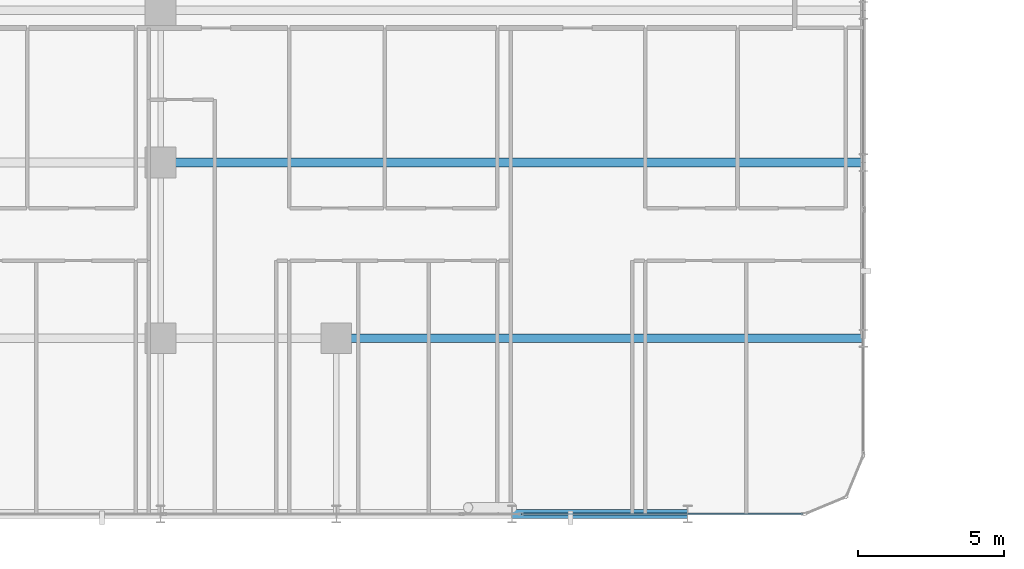
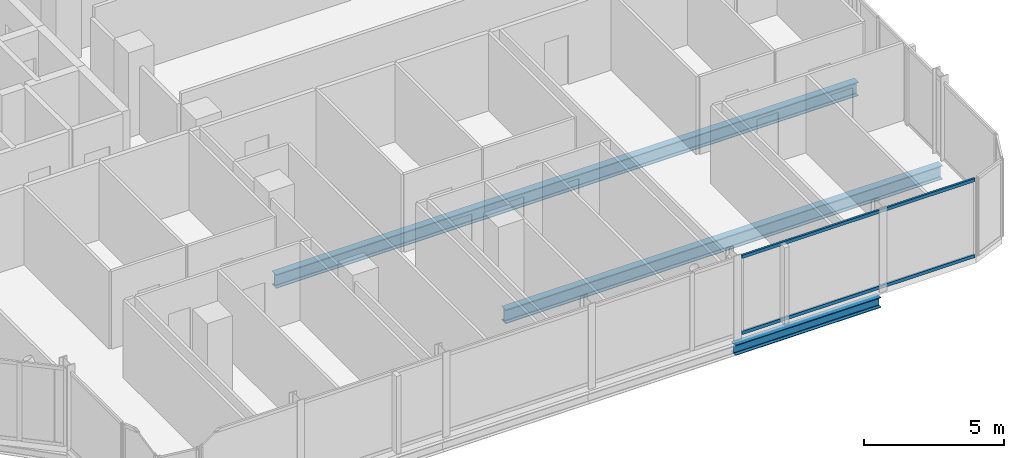
# One storey, part 9 of 29: 3 beams, 2 members, 1 element without a shape of its own.
"""IFC4 building model written with IfcOpenShell, lengths in metres."""

import ifcopenshell
import ifcopenshell.guid

model = None  # the IFC model being written
_history = None  # IfcOwnerHistory: only IFC2X3 demands one
_inside = {}  # id of a spatial element -> (the spatial element, [elements in it])
_under = {}  # id of a project, library or spatial element -> (it, [spatial elements below it])
_declared = {}  # id of a project -> (the project, [libraries it declares])
_typed = {}  # id of a type object -> (the type object, [elements of that type])
_made_of = {}  # id of a material, layer set ... -> (it, [elements and type objects made of it])


def new_model(schema):
    """Start an empty IFC model of exactly this schema.

    Asked for "IFC4X3", IfcOpenShell would pick the latest addendum, in which some entities
    have other attributes; the version numbers below select the first issue.
    IFC2X3 requires an IfcOwnerHistory on every rooted entity: one is made here for all.
    """
    global model, _history
    if schema == "IFC4X3":
        model = ifcopenshell.file(schema_version=(4, 3, 0, 0))
    else:
        model = ifcopenshell.file(schema=schema)
    _inside.clear()
    _under.clear()
    _declared.clear()
    _typed.clear()
    _made_of.clear()
    _history = None
    if model.schema == "IFC2X3":
        org = make("IfcOrganization", Name="unknown")
        user = make(
            "IfcPersonAndOrganization",
            ThePerson=make("IfcPerson", FamilyName="unknown"),
            TheOrganization=org,
        )
        app = make(
            "IfcApplication",
            ApplicationDeveloper=org,
            Version="unknown",
            ApplicationFullName="unknown",
            ApplicationIdentifier="unknown",
        )
        _history = make(
            "IfcOwnerHistory",
            OwningUser=user,
            OwningApplication=app,
            ChangeAction="ADDED",
            CreationDate=0,
        )
    return model


def make(cls, **values):
    """One entity of the class cls with the attributes given. An attribute that is None is left unset."""
    return model.create_entity(
        cls, **{name: value for name, value in values.items() if value is not None}
    )


def rooted(cls, **values):
    """An entity with a GlobalId (a new one), such as an element, a storey or a relation."""
    return make(cls, GlobalId=ifcopenshell.guid.new(), OwnerHistory=_history, **values)


def si_unit(unit_type, name, prefix=None):
    """IfcSIUnit, for example si_unit("LENGTHUNIT", "METRE", prefix="MILLI")."""
    return make("IfcSIUnit", UnitType=unit_type, Prefix=prefix, Name=name)


def assignment(units):
    """IfcUnitAssignment: the units of a project."""
    return None if units is None else make("IfcUnitAssignment", Units=units)


def point(xyz):
    """IfcCartesianPoint."""
    return None if xyz is None else make("IfcCartesianPoint", Coordinates=xyz)


def direction(xyz):
    """IfcDirection."""
    return None if xyz is None else make("IfcDirection", DirectionRatios=xyz)


def frame(location, z_axis=None, x_axis=None):
    """IfcAxis2Placement3D, a coordinate frame: its origin and axes. An axis left out is left unset."""
    return make(
        "IfcAxis2Placement3D",
        Location=point(location),
        Axis=direction(z_axis),
        RefDirection=direction(x_axis),
    )


def frame_2d(location, x_axis=None):
    """IfcAxis2Placement2D, a coordinate frame in the plane: its origin and x axis."""
    return make(
        "IfcAxis2Placement2D", Location=point(location), RefDirection=direction(x_axis)
    )


def origin():
    """The frame at (0, 0, 0) with its axes left unset."""
    return frame((0.0, 0.0, 0.0))


def origin_2d():
    """The frame at (0, 0) in the plane with its x axis left unset."""
    return frame_2d((0.0, 0.0))


def place(relative_to, where):
    """IfcLocalPlacement: puts the frame where relative to a parent placement (None: the world)."""
    return make(
        "IfcLocalPlacement", PlacementRelTo=relative_to, RelativePlacement=where
    )


def context(
    kind, dimensions, precision=None, world=None, true_north=None, identifier=None
):
    """IfcGeometricRepresentationContext, for example the 3D "Model" context."""
    return make(
        "IfcGeometricRepresentationContext",
        ContextIdentifier=identifier,
        ContextType=kind,
        CoordinateSpaceDimension=dimensions,
        Precision=precision,
        WorldCoordinateSystem=world,
        TrueNorth=true_north,
    )


def subcontext(parent, identifier, kind, view, scale=None):
    """IfcGeometricRepresentationSubContext, for example "Body" below "Model"."""
    return make(
        "IfcGeometricRepresentationSubContext",
        ContextIdentifier=identifier,
        ContextType=kind,
        ParentContext=parent,
        TargetScale=scale,
        TargetView=view,
    )


def project(units=None, contexts=None):
    """IfcProject with its units and contexts."""
    return rooted(
        "IfcProject",
        Name="project",
        RepresentationContexts=contexts,
        UnitsInContext=assignment(units),
    )


def spatial(cls, under=None, at=None, **own):
    """A site, building, storey or space (cls), placed at a placement, below another one or the project."""
    s = rooted(cls, ObjectPlacement=at, **own)
    if under is not None:
        _under.setdefault(under.id(), (under, []))[1].append(s)
    return s


def profile(cls, at=None, kind="AREA", **sizes):
    """A parametric profile (cls). Its sizes go by their IFC names, for example OverallWidth=200.0."""
    return make(cls, ProfileType=kind, Position=at, **sizes)


def hollow_rectangle(**sizes):
    """IfcRectangleHollowProfileDef."""
    return profile("IfcRectangleHollowProfileDef", **sizes)


def i_section(**sizes):
    """IfcIShapeProfileDef."""
    return profile("IfcIShapeProfileDef", **sizes)


def extrude(swept, where, along, depth):
    """IfcExtrudedAreaSolid: the profile swept, set in the frame where, extruded along a direction by depth."""
    return make(
        "IfcExtrudedAreaSolid",
        SweptArea=swept,
        Position=where,
        ExtrudedDirection=direction(along),
        Depth=depth,
    )


def shape(context_of_items, identifier, shape_type, items):
    """IfcShapeRepresentation: the items that make up one representation, for example the "Body"."""
    return make(
        "IfcShapeRepresentation",
        ContextOfItems=context_of_items,
        RepresentationIdentifier=identifier,
        RepresentationType=shape_type,
        Items=items,
    )


def material(Name=None, Category=None):
    """IfcMaterial."""
    return make("IfcMaterial", Name=Name, Category=Category)


def layer(
    of_material, thickness, ventilated=None, Name=None, Category=None, Priority=None
):
    """IfcMaterialLayer: one layer of a wall or slab, of a material (None: an air gap)."""
    return make(
        "IfcMaterialLayer",
        Material=of_material,
        LayerThickness=thickness,
        IsVentilated=ventilated,
        Name=Name,
        Category=Category,
        Priority=Priority,
    )


def layer_set(layers, Name=None):
    """IfcMaterialLayerSet."""
    return make("IfcMaterialLayerSet", MaterialLayers=layers, LayerSetName=Name)


def material_profile(
    of_material, cross_section, Name=None, Category=None, Priority=None
):
    """IfcMaterialProfile: a cross section and its material."""
    return make(
        "IfcMaterialProfile",
        Name=Name,
        Material=of_material,
        Profile=cross_section,
        Priority=Priority,
        Category=Category,
    )


def profile_set(profiles, Name=None, composite=None):
    """IfcMaterialProfileSet."""
    return make(
        "IfcMaterialProfileSet",
        Name=Name,
        MaterialProfiles=profiles,
        CompositeProfile=composite,
    )


def made_of(thing, what):
    """Note that an element or type object is made of a material, layer set ...; save() writes the relation."""
    if what is not None:
        _made_of.setdefault(what.id(), (what, []))[1].append(thing)
    return thing


def type_object(cls, material=None, **own):
    """A type object (cls), such as IfcWallType, which elements share."""
    return made_of(rooted(cls, **own), material)


def element(
    cls,
    number,
    at=None,
    inside=None,
    cuts=None,
    type_object=None,
    material=None,
    context=None,
    identifier="Body",
    shape_type=None,
    held_by="IfcProductDefinitionShape",
    body=None,
    shapes=None,
    **own,
):
    """One element of the class cls, such as IfcWall. Its Tag is "e" and its number.

    at: its placement. inside: the storey or other place that contains it. cuts: it is an
    opening in that element (IfcRelVoidsElement). A single representation is given by context,
    identifier, shape_type and body (its items); several are given by shapes. held_by: the class
    of the entity that holds the representations. save() writes the other relations.
    """
    e = rooted(cls, Tag="e%d" % number, ObjectPlacement=at, **own)
    if body is not None:
        shapes = [shape(context, identifier, shape_type, body)]
    if shapes is not None:
        e.Representation = make(held_by, Representations=shapes)
    if inside is not None:
        _inside.setdefault(inside.id(), (inside, []))[1].append(e)
    if cuts is not None:
        rooted(
            "IfcRelVoidsElement", RelatingBuildingElement=cuts, RelatedOpeningElement=e
        )
    if type_object is not None:
        _typed.setdefault(type_object.id(), (type_object, []))[1].append(e)
    return made_of(e, material)


def aggregate(whole, parts):
    """IfcRelAggregates: a whole, such as a stair, and the parts it consists of."""
    return rooted("IfcRelAggregates", RelatingObject=whole, RelatedObjects=parts)


def save(model, path):
    """Write the relations noted so far, then the file.

    IfcRelAggregates (storeys below a building ...), IfcRelContainedInSpatialStructure (elements
    in a storey), IfcRelDefinesByType, IfcRelAssociatesMaterial and IfcRelDeclares: one each for
    every whole, place, type object, material and project.
    """
    for whole, parts in _under.values():
        aggregate(whole, parts)
    for where, things in _inside.values():
        rooted(
            "IfcRelContainedInSpatialStructure",
            RelatedElements=things,
            RelatingStructure=where,
        )
    for kind, things in _typed.values():
        rooted("IfcRelDefinesByType", RelatedObjects=things, RelatingType=kind)
    for what, things in _made_of.values():
        rooted("IfcRelAssociatesMaterial", RelatedObjects=things, RelatingMaterial=what)
    for by, libraries in _declared.values():
        rooted("IfcRelDeclares", RelatingContext=by, RelatedDefinitions=libraries)
    model.write(path)


model = new_model("IFC4")

# Units and contexts
model_context = context("Model", 3, precision=1e-05, world=origin(), true_north=direction((0.0, 1.0)))
body_context = subcontext(model_context, "Body", "Model", "MODEL_VIEW")
ifc_project = project(units=[si_unit("LENGTHUNIT", "METRE"), si_unit("AREAUNIT", "SQUARE_METRE"), si_unit("VOLUMEUNIT", "CUBIC_METRE"), si_unit("PLANEANGLEUNIT", "RADIAN"), si_unit("MASSUNIT", "GRAM", prefix="KILO")], contexts=[model_context])

# Site, building, storey
site_placement = place(None, origin())
site = spatial("IfcSite", under=ifc_project, at=site_placement, CompositionType="ELEMENT")
building_placement = place(site_placement, origin())
building = spatial("IfcBuilding", under=site, at=building_placement, Name="Keshet Zoharim Tower", CompositionType="ELEMENT")
storey_placement = place(building_placement, frame((0.0, 0.0, 94.60009765625)))
storey = spatial("IfcBuildingStorey", under=building, at=storey_placement, Name="L22", CompositionType="ELEMENT", Elevation=94.60009765625)

# Beams
ifc_material_1 = material(Name="Steel S355", Category="steel")
ifc_material_profile_1 = material_profile(ifc_material_1, i_section(OverallWidth=0.300048828125, OverallDepth=0.60009765625, WebThickness=0.015380859375, FlangeThickness=0.030029296875, FilletRadius=0.027099609375, at=origin_2d()), Name="HEB600")
ifc_profile_set_1 = profile_set([ifc_material_profile_1], Name="Steel S355")
beam_type_1 = type_object("IfcBeamType", Name="BM-LNG-HB600", PredefinedType="BEAM", material=ifc_profile_set_1)
beam_1_placement = place(storey_placement, frame((39.0, 6.699951171875, -0.614990234375), z_axis=(1.0, 0.0, 0.0), x_axis=(0.0, 1.0, 0.0)))
element("IfcBeam", 1, at=beam_1_placement, inside=storey, type_object=beam_type_1, Name="L22 Primary Girder X-008", PredefinedType="BEAM", context=body_context, shape_type="SweptSolid", body=[
    extrude(i_section(OverallWidth=0.300048828125, OverallDepth=0.60009765625, WebThickness=0.015380859375, FlangeThickness=0.030029296875, FilletRadius=0.027099609375, at=origin_2d()), origin(), (0.0, 0.0, 1.0), 18.0),
])
beam_2_placement = place(storey_placement, frame((33.0, 12.699951171875, -0.614990234375), z_axis=(1.0, 0.0, 0.0), x_axis=(0.0, 1.0, 0.0)))
element("IfcBeam", 2, at=beam_2_placement, inside=storey, type_object=beam_type_1, Name="L22 Primary Girder X-010", PredefinedType="BEAM", context=body_context, shape_type="SweptSolid", body=[
    extrude(i_section(OverallWidth=0.300048828125, OverallDepth=0.60009765625, WebThickness=0.015380859375, FlangeThickness=0.030029296875, FilletRadius=0.027099609375, at=origin_2d()), origin(), (0.0, 0.0, 1.0), 24.0),
])
ifc_material_profile_2 = material_profile(ifc_material_1, i_section(OverallWidth=0.300048828125, OverallDepth=0.449951171875, WebThickness=0.013916015625, FlangeThickness=0.02587890625, FilletRadius=0.027099609375, at=origin_2d()), Name="HEB450")
ifc_profile_set_2 = profile_set([ifc_material_profile_2], Name="Steel S355")
beam_type_2 = type_object("IfcBeamType", Name="BM-WEB-HB450", PredefinedType="BEAM", material=ifc_profile_set_2)
beam_3_placement = place(storey_placement, frame((45.0, 0.699951171875, -0.5400390625), z_axis=(1.0, 0.0, 0.0), x_axis=(0.0, 1.0, 0.0)))
element("IfcBeam", 3, at=beam_3_placement, inside=storey, type_object=beam_type_2, Name="L22 Primary Girder X-004", PredefinedType="BEAM", context=body_context, shape_type="SweptSolid", body=[
    extrude(i_section(OverallWidth=0.300048828125, OverallDepth=0.449951171875, WebThickness=0.013916015625, FlangeThickness=0.02587890625, FilletRadius=0.027099609375, at=origin_2d()), origin(), (0.0, 0.0, 1.0), 6.0),
])

# Curtain wall, members
ifc_material_2 = material(Name="Aluminium 6063-T6", Category="aluminium")
ifc_layer = layer(ifc_material_2, 0.159912109375)
ifc_layer_set = layer_set([ifc_layer], Name="Aluminium 6063-T6")
curtain_wall_type = type_object("IfcCurtainWallType", Name="CW-SYS-03", PredefinedType="NOTDEFINED", material=ifc_layer_set)
curtain_wall_placement = place(storey_placement, origin())
curtain_wall = element("IfcCurtainWall", 4, at=curtain_wall_placement, inside=storey, type_object=curtain_wall_type, Name="L22 Unitised Curtain Wall 03", PredefinedType="NOTDEFINED")
ifc_material_profile_3 = material_profile(ifc_material_2, hollow_rectangle(XDim=0.080078125, YDim=0.139892578125, WallThickness=0.00390625, at=origin_2d()), Name="TRN-80x140")
ifc_profile_set_3 = profile_set([ifc_material_profile_3], Name="Aluminium 6063-T6")
member_type = type_object("IfcMemberType", Name="CWT-T14", PredefinedType="USERDEFINED", material=ifc_profile_set_3)
member_1_placement = place(storey_placement, frame((54.929931640625, 0.699951171875, 0.034912109375), z_axis=(-1.0, 0.0, 0.0), x_axis=(0.0, -1.0, 0.0)))
member_1 = element("IfcMember", 5, at=member_1_placement, type_object=member_type, Name="CW-03 transom 1.1", ObjectType="TRANSOM", PredefinedType="USERDEFINED", context=body_context, shape_type="SweptSolid", body=[
    extrude(hollow_rectangle(XDim=0.080078125, YDim=0.139892578125, WallThickness=0.00390625, at=origin_2d()), origin(), (0.0, 0.0, 1.0), 9.597412109375),
])
member_2_placement = place(storey_placement, frame((54.929931640625, 0.699951171875, 3.349853515625), z_axis=(-1.0, 0.0, 0.0), x_axis=(0.0, -1.0, 0.0)))
member_2 = element("IfcMember", 6, at=member_2_placement, type_object=member_type, Name="CW-03 transom 1.2", ObjectType="TRANSOM", PredefinedType="USERDEFINED", context=body_context, shape_type="SweptSolid", body=[
    extrude(hollow_rectangle(XDim=0.080078125, YDim=0.139892578125, WallThickness=0.00390625, at=origin_2d()), origin(), (0.0, 0.0, 1.0), 9.597412109375),
])
aggregate(curtain_wall, [member_1, member_2])

save(model, "model.ifc")
